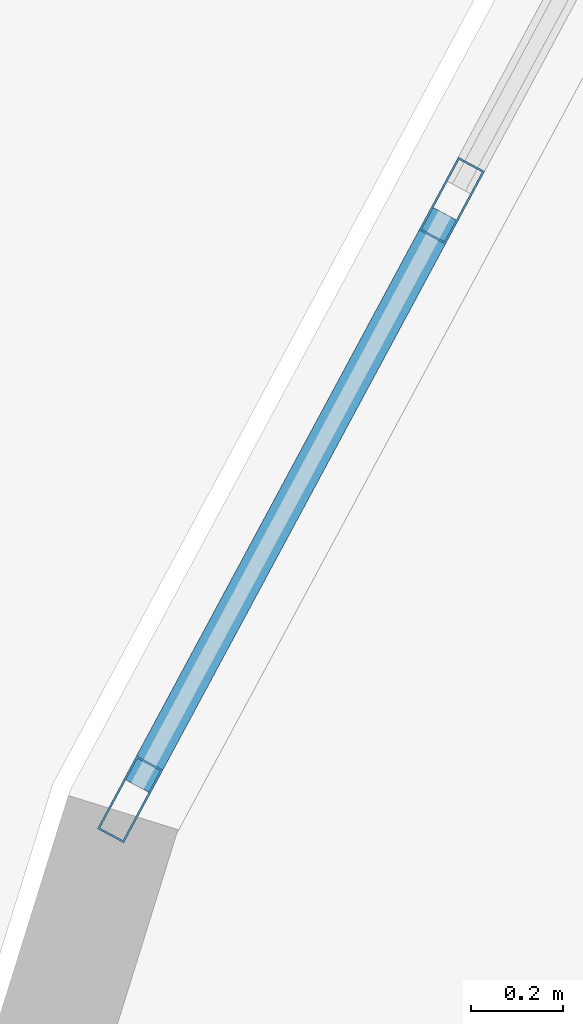
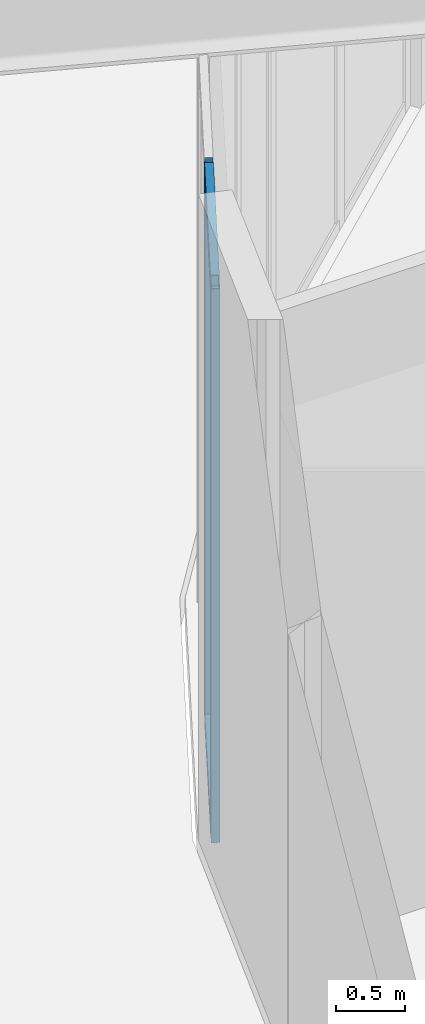
# One storey, part 10 of 46: 4 members, 1 element without a shape of its own.
"""IFC4 building model written with IfcOpenShell, lengths in metres."""

from ifc_helpers import new_model, si_unit, direction, frame, origin, origin_2d, place, context, subcontext, project, spatial, hollow_rectangle, extrude, source, transform, mapped, material, layer, layer_set, material_profile, profile_set, type_object, element, aggregate, save


model = new_model("IFC4")

# Units and contexts
model_context = context("Model", 3, precision=1e-05, world=origin(), true_north=direction((0.0, 1.0)))
body_context = subcontext(model_context, "Body", "Model", "MODEL_VIEW")
ifc_project = project(units=[si_unit("LENGTHUNIT", "METRE"), si_unit("AREAUNIT", "SQUARE_METRE"), si_unit("VOLUMEUNIT", "CUBIC_METRE"), si_unit("PLANEANGLEUNIT", "RADIAN"), si_unit("MASSUNIT", "GRAM", prefix="KILO")], contexts=[model_context])

# Site, building, storey
site_placement = place(None, origin())
site = spatial("IfcSite", under=ifc_project, at=site_placement, CompositionType="ELEMENT")
building_placement = place(site_placement, origin())
building = spatial("IfcBuilding", under=site, at=building_placement, Name="Linh Dai School and Residence Tower", CompositionType="ELEMENT")
storey_placement = place(building_placement, origin())
storey = spatial("IfcBuildingStorey", under=building, at=storey_placement, Name="L00", CompositionType="ELEMENT", Elevation=0.0)

# Curtain wall, members
ifc_material_1 = material(Name="Aluminium Anodised Curtain Wall", Category="aluminium")
ifc_layer = layer(ifc_material_1, 0.179931640625)
ifc_layer_set = layer_set([ifc_layer], Name="Aluminium Anodised Curtain Wall")
curtain_wall_type = type_object("IfcCurtainWallType", Name="CW-SYS-1", PredefinedType="USERDEFINED", material=ifc_layer_set)
curtain_wall_placement = place(storey_placement, origin())
curtain_wall = element("IfcCurtainWall", 1, at=curtain_wall_placement, inside=storey, type_object=curtain_wall_type, Name="L00 CW1 Curtain Wall 18", ObjectType="UNITISED CURTAIN WALL", PredefinedType="USERDEFINED")
ifc_material_2 = material(Name="Aluminium Alloy 6063-T6", Category="aluminium")
ifc_material_profile_1 = material_profile(ifc_material_2, hollow_rectangle(XDim=0.06494140625, YDim=0.179931640625, WallThickness=0.00390625, at=origin_2d()), Name="RHS 180x65x4")
ifc_profile_set_1 = profile_set([ifc_material_profile_1], Name="Aluminium Alloy 6063-T6")
member_type_1 = type_object("IfcMemberType", Name="CW-SYS-1-MUL", PredefinedType="MULLION", material=ifc_profile_set_1)
shared_shape_1 = source(origin(), body_context, "Body", "SweptSolid", [
    extrude(hollow_rectangle(XDim=0.06494140625, YDim=0.179931640625, WallThickness=0.00390625, at=origin_2d()), origin(), (0.0, 0.0, 1.0), 4.885009765625),
])
member_1_placement = place(storey_placement, frame((13.30517578125, 32.69677734375, 0.0), z_axis=(0.0, 0.0, 1.0), x_axis=(-0.880871524135, 0.473355424568, 0.0)))
member_1 = element("IfcMember", 2, at=member_1_placement, type_object=member_type_1, Name="CW1 mullion 1", PredefinedType="MULLION", context=body_context, shape_type="MappedRepresentation", body=[
    mapped(shared_shape_1, transform((0.0, 0.0, 0.0), x_axis=(1.0, 0.0, 0.0), y_axis=(0.0, 1.0, 0.0), z_axis=(0.0, 0.0, 1.0), scale=1.0)),
])
member_2_placement = place(storey_placement, frame((14.0048828125, 33.9990234375, 0.0), z_axis=(0.0, 0.0, 1.0), x_axis=(-0.880871524135, 0.473355424568, 0.0)))
member_2 = element("IfcMember", 3, at=member_2_placement, type_object=member_type_1, Name="CW1 mullion 2", PredefinedType="MULLION", context=body_context, shape_type="MappedRepresentation", body=[
    mapped(shared_shape_1, transform((0.0, 0.0, 0.0), x_axis=(1.0, 0.0, 0.0), y_axis=(0.0, 1.0, 0.0), z_axis=(0.0, 0.0, 1.0), scale=1.0)),
])
ifc_material_profile_2 = material_profile(ifc_material_2, hollow_rectangle(XDim=0.06494140625, YDim=0.139892578125, WallThickness=0.00390625, at=origin_2d()), Name="RHS 140x65x4")
ifc_profile_set_2 = profile_set([ifc_material_profile_2], Name="Aluminium Alloy 6063-T6")
member_type_2 = type_object("IfcMemberType", Name="CW-SYS-1-TRN", PredefinedType="USERDEFINED", material=ifc_profile_set_2)
shared_shape_2 = source(origin(), body_context, "Body", "SweptSolid", [
    extrude(hollow_rectangle(XDim=0.06494140625, YDim=0.139892578125, WallThickness=0.00390625, at=origin_2d()), origin(), (0.0, 0.0, 1.0), 1.413330078125),
])
member_3_placement = place(storey_placement, frame((13.320556640625, 32.7255859375, 0.032470703125), z_axis=(0.473347612857, 0.880875721883, 0.0), x_axis=(-0.880875721883, 0.473347612857, 0.0)))
member_3 = element("IfcMember", 4, at=member_3_placement, type_object=member_type_2, Name="CW1 transom 1.1", ObjectType="TRANSOM", PredefinedType="USERDEFINED", context=body_context, shape_type="MappedRepresentation", body=[
    mapped(shared_shape_2, transform((0.0, 0.0, 0.0), x_axis=(1.0, 0.0, 0.0), y_axis=(0.0, 1.0, 0.0), z_axis=(0.0, 0.0, 1.0), scale=1.0)),
])
member_4_placement = place(storey_placement, frame((13.320556640625, 32.7255859375, 4.8525390625), z_axis=(0.473347612857, 0.880875721883, 0.0), x_axis=(-0.880875721883, 0.473347612857, 0.0)))
member_4 = element("IfcMember", 5, at=member_4_placement, type_object=member_type_2, Name="CW1 transom 1.2", ObjectType="TRANSOM", PredefinedType="USERDEFINED", context=body_context, shape_type="MappedRepresentation", body=[
    mapped(shared_shape_2, transform((0.0, 0.0, 0.0), x_axis=(1.0, 0.0, 0.0), y_axis=(0.0, 1.0, 0.0), z_axis=(0.0, 0.0, 1.0), scale=1.0)),
])
aggregate(curtain_wall, [member_1, member_2, member_3, member_4])

save(model, "model.ifc")
